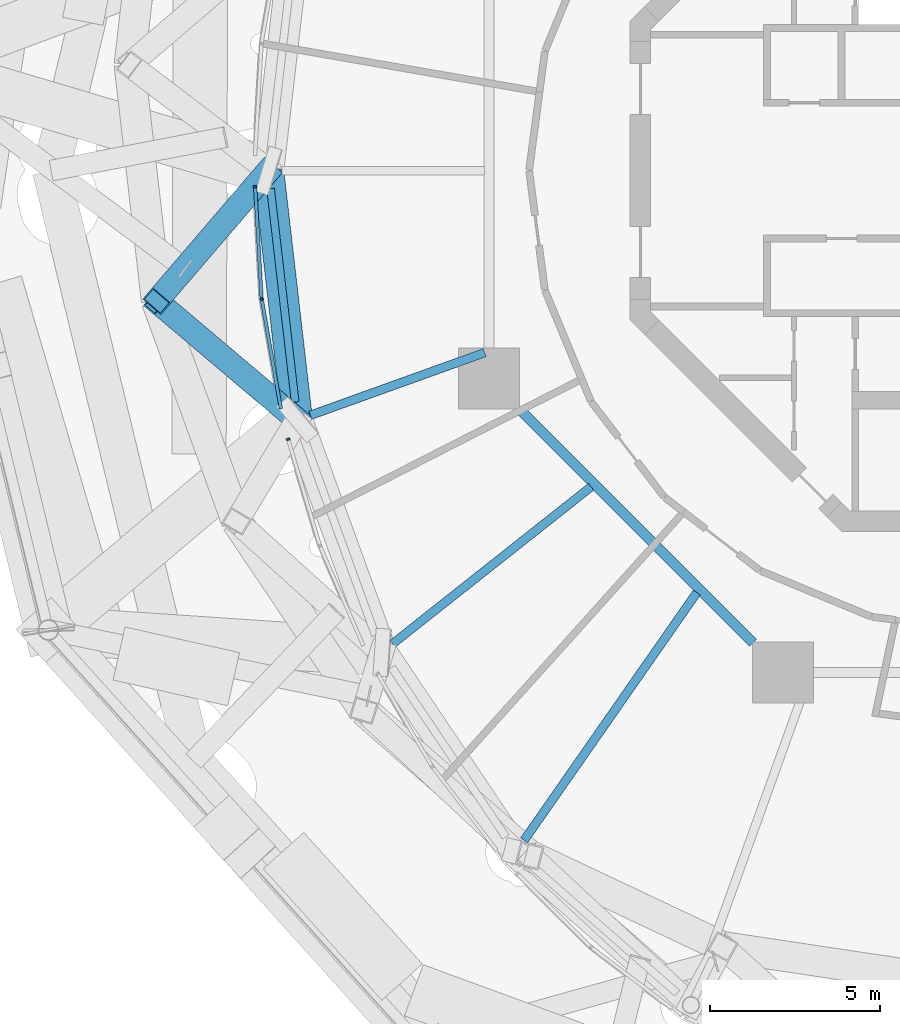
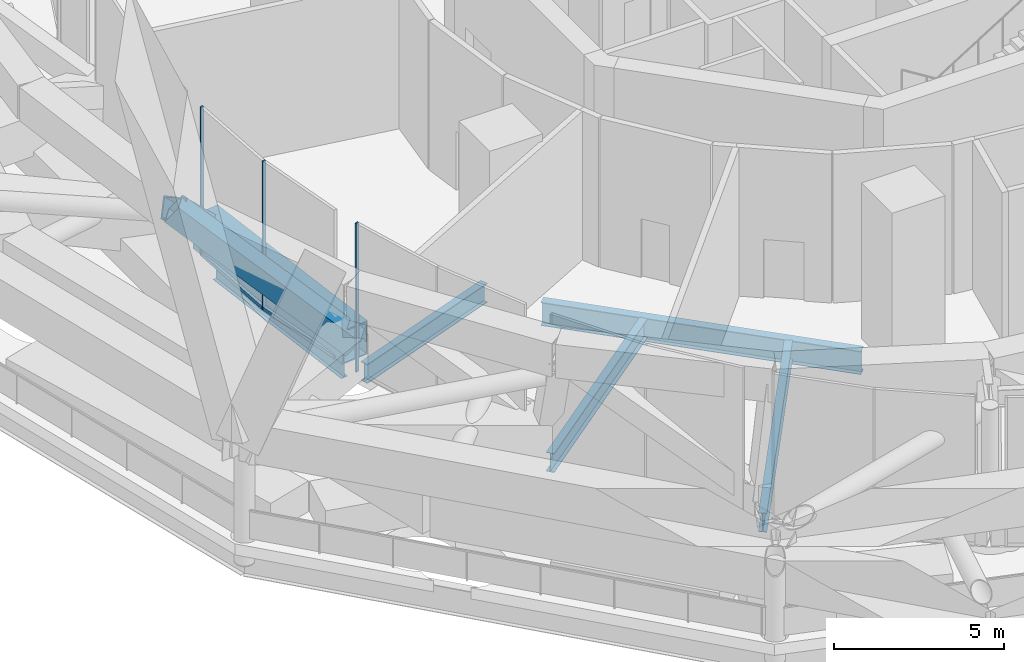
# One storey, part 11 of 60: 8 beams, 5 members, 3 elements without a shape of their own.
"""IFC4 building model written with IfcOpenShell, lengths in metres."""

from ifc_helpers import new_model, si_unit, direction, frame, origin, origin_2d, place, context, subcontext, project, spatial, rectangle, hollow_rectangle, i_section, extrude, material, layer, layer_set, material_profile, profile_set, type_object, element, aggregate, save


model = new_model("IFC4")

# Units and contexts
model_context = context("Model", 3, precision=1e-05, world=origin(), true_north=direction((0.0, 1.0)))
body_context = subcontext(model_context, "Body", "Model", "MODEL_VIEW")
ifc_project = project(units=[si_unit("LENGTHUNIT", "METRE"), si_unit("AREAUNIT", "SQUARE_METRE"), si_unit("VOLUMEUNIT", "CUBIC_METRE"), si_unit("PLANEANGLEUNIT", "RADIAN"), si_unit("MASSUNIT", "GRAM", prefix="KILO")], contexts=[model_context])

# Site, building, storey
site_placement = place(None, origin())
site = spatial("IfcSite", under=ifc_project, at=site_placement, CompositionType="ELEMENT")
building_placement = place(site_placement, origin())
building = spatial("IfcBuilding", under=site, at=building_placement, Name="Nagisa Residences", CompositionType="ELEMENT")
storey_placement = place(building_placement, frame((0.0, 0.0, 206.60009765625)))
storey = spatial("IfcBuildingStorey", under=building, at=storey_placement, Name="L52", CompositionType="ELEMENT", Elevation=206.60009765625)

# Beams
ifc_material_1 = material(Name="Steel ASTM A572 Gr 50", Category="steel")
ifc_material_profile_1 = material_profile(ifc_material_1, hollow_rectangle(XDim=0.89990234375, YDim=1.199951171875, WallThickness=0.044921875, at=origin_2d()), Name="BX 900x1200x45")
ifc_profile_set_1 = profile_set([ifc_material_profile_1], Name="Steel ASTM A572 Gr 50")
beam_type_1 = type_object("IfcBeamType", Name="Belt chord 4 BX 900x1200x45", PredefinedType="BEAM", material=ifc_profile_set_1)
beam_1_placement = place(storey_placement, frame((-21.27490234375, 0.0, 0.599853515625), z_axis=(0.114627868433, -0.993408501966, 0.0), x_axis=(0.993408501966, 0.114627868433, 0.0)))
element("IfcBeam", 1, at=beam_1_placement, inside=storey, type_object=beam_type_1, Name="beam:L52:bt4b13", PredefinedType="BEAM", context=body_context, shape_type="SweptSolid", body=[
    extrude(hollow_rectangle(XDim=0.89990234375, YDim=1.199951171875, WallThickness=0.044921875, at=origin_2d()), origin(), (0.0, 0.0, 1.0), 7.392822265625),
])
ifc_material_2 = material(Name="Steel ASTM A572 Gr 50", Category="steel")
ifc_material_profile_2 = material_profile(ifc_material_2, hollow_rectangle(XDim=0.699951171875, YDim=0.699951171875, WallThickness=0.0400390625, at=origin_2d()), Name="BX 700x700x40")
ifc_profile_set_2 = profile_set([ifc_material_profile_2], Name="Steel ASTM A572 Gr 50")
beam_type_2 = type_object("IfcBeamType", Name="Belt diagonal 4 BX 700x700x40", PredefinedType="BEAM", material=ifc_profile_set_2)
beam_2_placement = place(storey_placement, frame((-21.27490234375, 0.0, 0.599853515625), z_axis=(-0.503553339756, -0.587690515259, 0.633288158973), x_axis=(0.759372399822, -0.650656252094, 0.0)))
element("IfcBeam", 2, at=beam_2_placement, inside=storey, type_object=beam_type_2, Name="beam:L52:bt4db13", PredefinedType="BEAM", context=body_context, shape_type="SweptSolid", body=[
    extrude(hollow_rectangle(XDim=0.699951171875, YDim=0.699951171875, WallThickness=0.0400390625, at=origin_2d()), origin(), (0.0, 0.0, 1.0), 6.53759765625),
])
beam_3_placement = place(storey_placement, frame((-20.427490234375, -7.343994140625, 0.599853515625), z_axis=(-0.606776803069, 0.51333568052, 0.606884165523), x_axis=(-0.64587562924, -0.763442644574, 0.0)))
element("IfcBeam", 3, at=beam_3_placement, inside=storey, type_object=beam_type_2, Name="beam:L52:bt4da14", PredefinedType="BEAM", context=body_context, shape_type="SweptSolid", body=[
    extrude(hollow_rectangle(XDim=0.699951171875, YDim=0.699951171875, WallThickness=0.0400390625, at=origin_2d()), origin(), (0.0, 0.0, 1.0), 6.822021484375),
])

# Curtain wall, member
ifc_material_3 = material(Name="Aluminium curtain wall system", Category="aluminium")
ifc_layer = layer(ifc_material_3, 0.159912109375)
ifc_layer_set = layer_set([ifc_layer], Name="CW5 CURTAIN WALL")
curtain_wall_type = type_object("IfcCurtainWallType", Name="CW5 CURTAIN WALL", PredefinedType="NOTDEFINED", material=ifc_layer_set)
curtain_wall_1_placement = place(storey_placement, origin())
curtain_wall_1 = element("IfcCurtainWall", 4, at=curtain_wall_1_placement, inside=storey, type_object=curtain_wall_type, Name="cw:CW5:L52:24", PredefinedType="NOTDEFINED")
ifc_material_4 = material(Name="Aluminium", Category="aluminium")
ifc_material_profile_3 = material_profile(ifc_material_4, rectangle(XDim=0.10009765625, YDim=0.06005859375, at=origin_2d()), Name="CW5 MULLION 100x60")
ifc_profile_set_3 = profile_set([ifc_material_profile_3], Name="Aluminium")
member_type_1 = type_object("IfcMemberType", Name="CW5 MULLION 100x60", PredefinedType="MULLION", material=ifc_profile_set_3)
member_1_placement = place(storey_placement, frame((-21.66748046875, -0.474609375, 0.0), z_axis=(0.0, 0.0, 1.0), x_axis=(0.998345305184, 0.057503492216, 0.0)))
member_1 = element("IfcMember", 5, at=member_1_placement, type_object=member_type_1, Name="CW5 mullion", PredefinedType="MULLION", context=body_context, shape_type="SweptSolid", body=[
    extrude(rectangle(XDim=0.10009765625, YDim=0.06005859375, at=origin_2d()), origin(), (0.0, 0.0, 1.0), 5.33984375),
])

curtain_wall_2_placement = place(storey_placement, origin())
curtain_wall_2 = element("IfcCurtainWall", 6, at=curtain_wall_2_placement, inside=storey, type_object=curtain_wall_type, Name="cw:CW5:L52:25", PredefinedType="NOTDEFINED")
member_2_placement = place(storey_placement, frame((-21.473876953125, -3.78466796875, 0.0), z_axis=(0.0, 0.0, 1.0), x_axis=(0.985063604377, 0.172190868898, 0.0)))
member_2 = element("IfcMember", 7, at=member_2_placement, type_object=member_type_1, Name="CW5 mullion", PredefinedType="MULLION", context=body_context, shape_type="SweptSolid", body=[
    extrude(rectangle(XDim=0.10009765625, YDim=0.06005859375, at=origin_2d()), origin(), (0.0, 0.0, 1.0), 5.33984375),
])

curtain_wall_3_placement = place(storey_placement, origin())
curtain_wall_3 = element("IfcCurtainWall", 8, at=curtain_wall_3_placement, inside=storey, type_object=curtain_wall_type, Name="cw:CW5:L52:26", PredefinedType="NOTDEFINED")
member_3_placement = place(storey_placement, frame((-20.696533203125, -7.910400390625, 0.0), z_axis=(0.0, 0.0, 1.0), x_axis=(0.958271310082, 0.285860274038, 0.0)))
member_3 = element("IfcMember", 9, at=member_3_placement, type_object=member_type_1, Name="CW5 mullion", PredefinedType="MULLION", context=body_context, shape_type="SweptSolid", body=[
    extrude(rectangle(XDim=0.10009765625, YDim=0.06005859375, at=origin_2d()), origin(), (0.0, 0.0, 1.0), 5.33984375),
])
aggregate(curtain_wall_3, [member_3])

# Member
ifc_material_5 = material(Name="Aluminium", Category="aluminium")
ifc_material_profile_4 = material_profile(ifc_material_5, rectangle(XDim=0.10009765625, YDim=0.1201171875, at=origin_2d()), Name="CW5 TRANSOM 100x120")
ifc_profile_set_4 = profile_set([ifc_material_profile_4], Name="Aluminium")
member_type_2 = type_object("IfcMemberType", Name="CW5 TRANSOM 100x120", PredefinedType="USERDEFINED", material=ifc_profile_set_4)
member_4_placement = place(storey_placement, frame((-21.669189453125, -0.444580078125, 0.059814453125), z_axis=(0.057486772167, -0.998346268098, 0.0), x_axis=(0.998346268098, 0.057486772167, 0.0)))
member_4 = element("IfcMember", 10, at=member_4_placement, type_object=member_type_2, Name="CW5 transom", ObjectType="TRANSOM", PredefinedType="USERDEFINED", context=body_context, shape_type="SweptSolid", body=[
    extrude(rectangle(XDim=0.10009765625, YDim=0.1201171875, at=origin_2d()), origin(), (0.0, 0.0, 1.0), 3.325439453125),
])

aggregate(curtain_wall_1, [member_1, member_4])

member_5_placement = place(storey_placement, frame((-21.47900390625, -3.755126953125, 0.059814453125), z_axis=(0.172190715586, -0.985063631176, 0.0), x_axis=(0.985063631176, 0.172190715586, 0.0)))
member_5 = element("IfcMember", 11, at=member_5_placement, type_object=member_type_2, Name="CW5 transom", ObjectType="TRANSOM", PredefinedType="USERDEFINED", context=body_context, shape_type="SweptSolid", body=[
    extrude(rectangle(XDim=0.10009765625, YDim=0.1201171875, at=origin_2d()), origin(), (0.0, 0.0, 1.0), 3.310791015625),
])

aggregate(curtain_wall_2, [member_2, member_5])

# Beams
ifc_material_6 = material(Name="Steel ASTM A572 Gr 50", Category="steel")
ifc_material_profile_5 = material_profile(ifc_material_6, i_section(OverallWidth=0.2919921875, OverallDepth=0.8349609375, WebThickness=0.013916015625, FlangeThickness=0.018798828125, at=origin_2d()), Name="W840x176")
ifc_profile_set_5 = profile_set([ifc_material_profile_5], Name="Steel ASTM A572 Gr 50")
beam_type_3 = type_object("IfcBeamType", Name="Inner ring beam W840x176", PredefinedType="BEAM", material=ifc_profile_set_5)
beam_4_placement = place(storey_placement, frame((-13.896240234375, -7.0087890625, -0.767578125), z_axis=(0.707106781187, -0.707106781187, 0.0), x_axis=(0.707106781187, 0.707106781187, 0.0)))
element("IfcBeam", 12, at=beam_4_placement, inside=storey, type_object=beam_type_3, Name="beam:L52:ib5", PredefinedType="BEAM", context=body_context, shape_type="SweptSolid", body=[
    extrude(i_section(OverallWidth=0.2919921875, OverallDepth=0.8349609375, WebThickness=0.013916015625, FlangeThickness=0.018798828125, at=origin_2d()), origin(), (0.0, 0.0, 1.0), 9.740234375),
])
ifc_material_7 = material(Name="Steel ASTM A572 Gr 50", Category="steel")
ifc_material_profile_6 = material_profile(ifc_material_7, i_section(OverallWidth=0.22802734375, OverallDepth=0.60302734375, WebThickness=0.010498046875, FlangeThickness=0.014892578125, at=origin_2d()), Name="W610x101")
ifc_profile_set_6 = profile_set([ifc_material_profile_6], Name="Steel ASTM A572 Gr 50")
beam_type_4 = type_object("IfcBeamType", Name="Perimeter ring beam W610x101", PredefinedType="BEAM", material=ifc_profile_set_6)
beam_5_placement = place(storey_placement, frame((-21.2138671875, -0.530029296875, -0.651611328125), z_axis=(0.114670987431, -0.993403525583, 0.0), x_axis=(0.993403525583, 0.114670987431, 0.0)))
element("IfcBeam", 13, at=beam_5_placement, inside=storey, type_object=beam_type_4, Name="beam:L52:pb13", PredefinedType="BEAM", context=body_context, shape_type="SweptSolid", body=[
    extrude(i_section(OverallWidth=0.22802734375, OverallDepth=0.60302734375, WebThickness=0.010498046875, FlangeThickness=0.014892578125, at=origin_2d()), origin(), (0.0, 0.0, 1.0), 6.325439453125),
])
ifc_material_8 = material(Name="Steel ASTM A572 Gr 50", Category="steel")
ifc_material_profile_7 = material_profile(ifc_material_8, i_section(OverallWidth=0.25390625, OverallDepth=0.68408203125, WebThickness=0.012451171875, FlangeThickness=0.018798828125, at=origin_2d()), Name="W690x140")
ifc_profile_set_7 = profile_set([ifc_material_profile_7], Name="Steel ASTM A572 Gr 50")
beam_type_5 = type_object("IfcBeamType", Name="Radial beam W690x140", PredefinedType="BEAM", material=ifc_profile_set_7)
beam_6_placement = place(storey_placement, frame((-20.043701171875, -7.2060546875, -0.692138671875), z_axis=(0.94103220835, 0.338316985751, 0.0), x_axis=(-0.338316985751, 0.94103220835, 0.0)))
element("IfcBeam", 14, at=beam_6_placement, inside=storey, type_object=beam_type_5, Name="beam:L52:rb14", PredefinedType="BEAM", context=body_context, shape_type="SweptSolid", body=[
    extrude(i_section(OverallWidth=0.25390625, OverallDepth=0.68408203125, WebThickness=0.012451171875, FlangeThickness=0.018798828125, at=origin_2d()), origin(), (0.0, 0.0, 1.0), 5.456298828125),
])
beam_7_placement = place(storey_placement, frame((-17.617919921875, -13.930908203125, -0.692138671875), z_axis=(0.784411142457, 0.620241210812, 0.0), x_axis=(-0.620241210812, 0.784411142457, 0.0)))
element("IfcBeam", 15, at=beam_7_placement, inside=storey, type_object=beam_type_5, Name="beam:L52:rb15", PredefinedType="BEAM", context=body_context, shape_type="SweptSolid", body=[
    extrude(i_section(OverallWidth=0.25390625, OverallDepth=0.68408203125, WebThickness=0.012451171875, FlangeThickness=0.018798828125, at=origin_2d()), origin(), (0.0, 0.0, 1.0), 7.450439453125),
])
beam_8_placement = place(storey_placement, frame((-13.75048828125, -19.7216796875, -0.692138671875), z_axis=(0.571940381969, 0.820295190449, 0.0), x_axis=(-0.820295190449, 0.571940381969, 0.0)))
element("IfcBeam", 16, at=beam_8_placement, inside=storey, type_object=beam_type_5, Name="beam:L52:rb16", PredefinedType="BEAM", context=body_context, shape_type="SweptSolid", body=[
    extrude(i_section(OverallWidth=0.25390625, OverallDepth=0.68408203125, WebThickness=0.012451171875, FlangeThickness=0.018798828125, at=origin_2d()), origin(), (0.0, 0.0, 1.0), 8.8984375),
])

save(model, "model.ifc")
